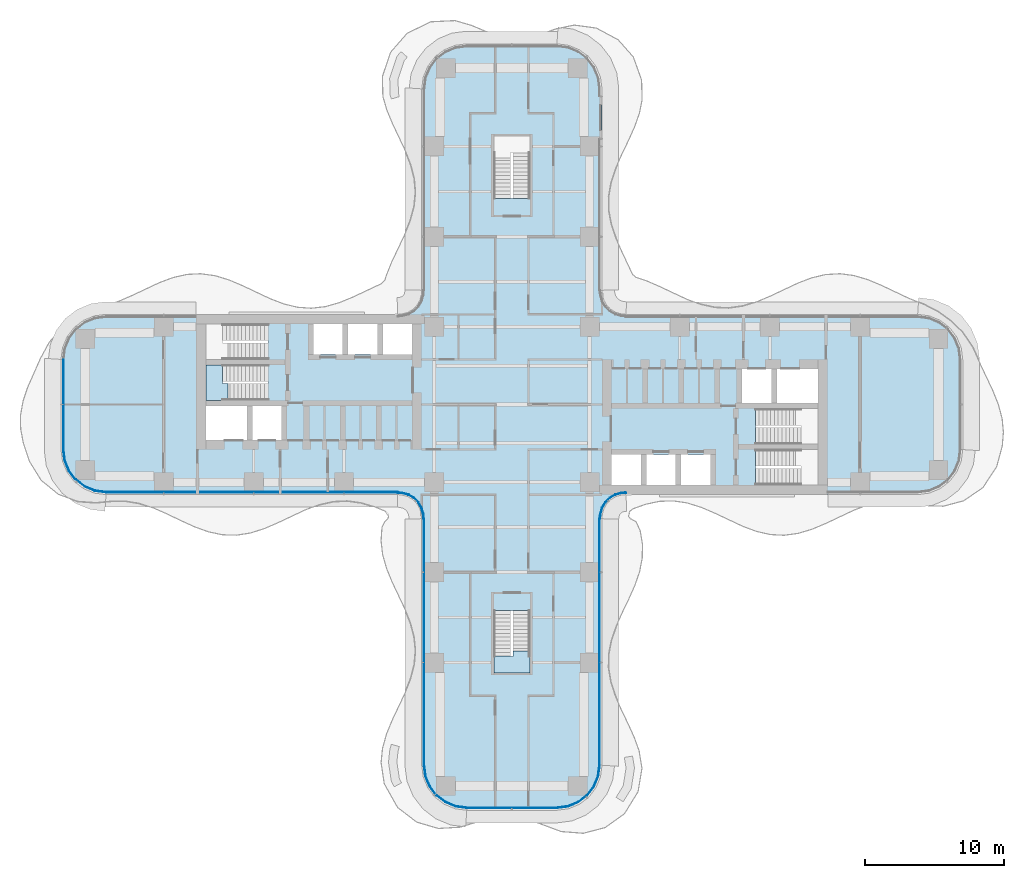
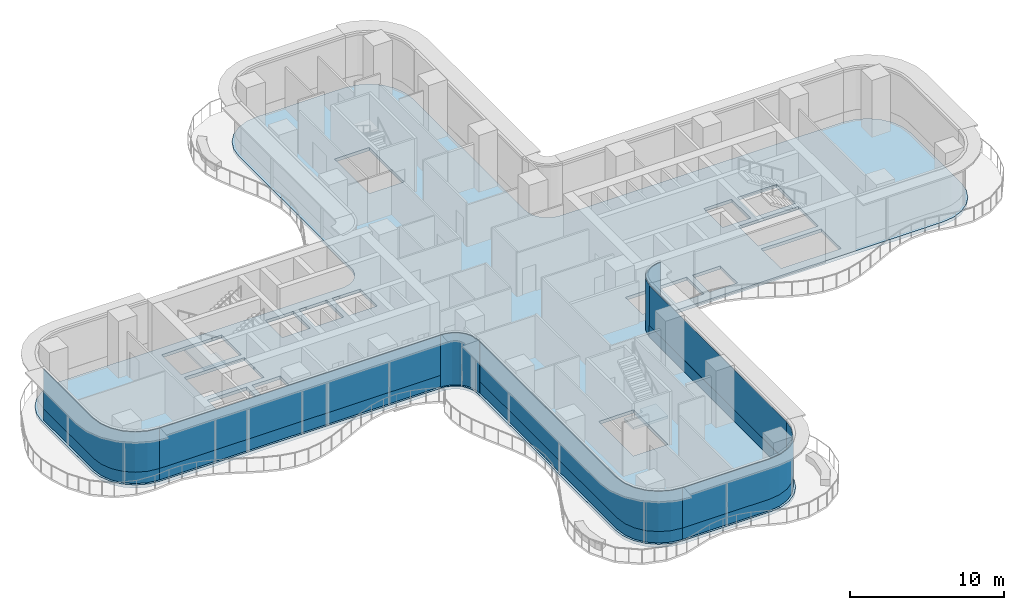
# One storey, part 14 of 23: 12 plates, 3 slabs, 9 elements without a shape of their own.
"""IFC4 building model written with IfcOpenShell, lengths in metres."""

import ifcopenshell
import ifcopenshell.guid

model = None  # the IFC model being written
_history = None  # IfcOwnerHistory: only IFC2X3 demands one
_inside = {}  # id of a spatial element -> (the spatial element, [elements in it])
_under = {}  # id of a project, library or spatial element -> (it, [spatial elements below it])
_declared = {}  # id of a project -> (the project, [libraries it declares])
_typed = {}  # id of a type object -> (the type object, [elements of that type])
_made_of = {}  # id of a material, layer set ... -> (it, [elements and type objects made of it])


def new_model(schema):
    """Start an empty IFC model of exactly this schema.

    Asked for "IFC4X3", IfcOpenShell would pick the latest addendum, in which some entities
    have other attributes; the version numbers below select the first issue.
    IFC2X3 requires an IfcOwnerHistory on every rooted entity: one is made here for all.
    """
    global model, _history
    if schema == "IFC4X3":
        model = ifcopenshell.file(schema_version=(4, 3, 0, 0))
    else:
        model = ifcopenshell.file(schema=schema)
    _inside.clear()
    _under.clear()
    _declared.clear()
    _typed.clear()
    _made_of.clear()
    _history = None
    if model.schema == "IFC2X3":
        org = make("IfcOrganization", Name="unknown")
        user = make(
            "IfcPersonAndOrganization",
            ThePerson=make("IfcPerson", FamilyName="unknown"),
            TheOrganization=org,
        )
        app = make(
            "IfcApplication",
            ApplicationDeveloper=org,
            Version="unknown",
            ApplicationFullName="unknown",
            ApplicationIdentifier="unknown",
        )
        _history = make(
            "IfcOwnerHistory",
            OwningUser=user,
            OwningApplication=app,
            ChangeAction="ADDED",
            CreationDate=0,
        )
    return model


def make(cls, **values):
    """One entity of the class cls with the attributes given. An attribute that is None is left unset."""
    return model.create_entity(
        cls, **{name: value for name, value in values.items() if value is not None}
    )


def rooted(cls, **values):
    """An entity with a GlobalId (a new one), such as an element, a storey or a relation."""
    return make(cls, GlobalId=ifcopenshell.guid.new(), OwnerHistory=_history, **values)


def si_unit(unit_type, name, prefix=None):
    """IfcSIUnit, for example si_unit("LENGTHUNIT", "METRE", prefix="MILLI")."""
    return make("IfcSIUnit", UnitType=unit_type, Prefix=prefix, Name=name)


def assignment(units):
    """IfcUnitAssignment: the units of a project."""
    return None if units is None else make("IfcUnitAssignment", Units=units)


def point(xyz):
    """IfcCartesianPoint."""
    return None if xyz is None else make("IfcCartesianPoint", Coordinates=xyz)


def direction(xyz):
    """IfcDirection."""
    return None if xyz is None else make("IfcDirection", DirectionRatios=xyz)


def frame(location, z_axis=None, x_axis=None):
    """IfcAxis2Placement3D, a coordinate frame: its origin and axes. An axis left out is left unset."""
    return make(
        "IfcAxis2Placement3D",
        Location=point(location),
        Axis=direction(z_axis),
        RefDirection=direction(x_axis),
    )


def origin():
    """The frame at (0, 0, 0) with its axes left unset."""
    return frame((0.0, 0.0, 0.0))


def place(relative_to, where):
    """IfcLocalPlacement: puts the frame where relative to a parent placement (None: the world)."""
    return make(
        "IfcLocalPlacement", PlacementRelTo=relative_to, RelativePlacement=where
    )


def context(
    kind, dimensions, precision=None, world=None, true_north=None, identifier=None
):
    """IfcGeometricRepresentationContext, for example the 3D "Model" context."""
    return make(
        "IfcGeometricRepresentationContext",
        ContextIdentifier=identifier,
        ContextType=kind,
        CoordinateSpaceDimension=dimensions,
        Precision=precision,
        WorldCoordinateSystem=world,
        TrueNorth=true_north,
    )


def subcontext(parent, identifier, kind, view, scale=None):
    """IfcGeometricRepresentationSubContext, for example "Body" below "Model"."""
    return make(
        "IfcGeometricRepresentationSubContext",
        ContextIdentifier=identifier,
        ContextType=kind,
        ParentContext=parent,
        TargetScale=scale,
        TargetView=view,
    )


def project(units=None, contexts=None):
    """IfcProject with its units and contexts."""
    return rooted(
        "IfcProject",
        Name="project",
        RepresentationContexts=contexts,
        UnitsInContext=assignment(units),
    )


def spatial(cls, under=None, at=None, **own):
    """A site, building, storey or space (cls), placed at a placement, below another one or the project."""
    s = rooted(cls, ObjectPlacement=at, **own)
    if under is not None:
        _under.setdefault(under.id(), (under, []))[1].append(s)
    return s


def polyline(points):
    """IfcPolyline through the points."""
    return make("IfcPolyline", Points=[point(p) for p in points])


def outline(outer, holes=None, kind="AREA"):
    """IfcArbitraryClosedProfileDef: a profile drawn as a closed curve; with holes, ...WithVoids."""
    if holes is None:
        return make("IfcArbitraryClosedProfileDef", ProfileType=kind, OuterCurve=outer)
    return make(
        "IfcArbitraryProfileDefWithVoids",
        ProfileType=kind,
        OuterCurve=outer,
        InnerCurves=holes,
    )


def extrude(swept, where, along, depth):
    """IfcExtrudedAreaSolid: the profile swept, set in the frame where, extruded along a direction by depth."""
    return make(
        "IfcExtrudedAreaSolid",
        SweptArea=swept,
        Position=where,
        ExtrudedDirection=direction(along),
        Depth=depth,
    )


def shape(context_of_items, identifier, shape_type, items):
    """IfcShapeRepresentation: the items that make up one representation, for example the "Body"."""
    return make(
        "IfcShapeRepresentation",
        ContextOfItems=context_of_items,
        RepresentationIdentifier=identifier,
        RepresentationType=shape_type,
        Items=items,
    )


def source(mapping_origin, context_of_items, identifier, shape_type, items):
    """IfcRepresentationMap: a shape defined once, which mapped items show again and again."""
    return make(
        "IfcRepresentationMap",
        MappingOrigin=mapping_origin,
        MappedRepresentation=shape(context_of_items, identifier, shape_type, items),
    )


def transform(
    local_origin,
    x_axis=None,
    y_axis=None,
    z_axis=None,
    scale=None,
    scale2=None,
    scale3=None,
    uniform=True,
):
    """IfcCartesianTransformationOperator3D, or its non-uniform kind. x_axis, y_axis, z_axis: its Axis1, 2, 3."""
    if uniform:
        return make(
            "IfcCartesianTransformationOperator3D",
            Axis1=direction(x_axis),
            Axis2=direction(y_axis),
            LocalOrigin=point(local_origin),
            Scale=scale,
            Axis3=direction(z_axis),
        )
    return make(
        "IfcCartesianTransformationOperator3DnonUniform",
        Axis1=direction(x_axis),
        Axis2=direction(y_axis),
        LocalOrigin=point(local_origin),
        Scale=scale,
        Axis3=direction(z_axis),
        Scale2=scale2,
        Scale3=scale3,
    )


def mapped(mapping_source, mapping_target):
    """IfcMappedItem: shows the shape of a source again, moved by a transform."""
    return make(
        "IfcMappedItem", MappingSource=mapping_source, MappingTarget=mapping_target
    )


def material(Name=None, Category=None):
    """IfcMaterial."""
    return make("IfcMaterial", Name=Name, Category=Category)


def layer(
    of_material, thickness, ventilated=None, Name=None, Category=None, Priority=None
):
    """IfcMaterialLayer: one layer of a wall or slab, of a material (None: an air gap)."""
    return make(
        "IfcMaterialLayer",
        Material=of_material,
        LayerThickness=thickness,
        IsVentilated=ventilated,
        Name=Name,
        Category=Category,
        Priority=Priority,
    )


def layer_set(layers, Name=None):
    """IfcMaterialLayerSet."""
    return make("IfcMaterialLayerSet", MaterialLayers=layers, LayerSetName=Name)


def made_of(thing, what):
    """Note that an element or type object is made of a material, layer set ...; save() writes the relation."""
    if what is not None:
        _made_of.setdefault(what.id(), (what, []))[1].append(thing)
    return thing


def type_object(cls, material=None, **own):
    """A type object (cls), such as IfcWallType, which elements share."""
    return made_of(rooted(cls, **own), material)


def element(
    cls,
    number,
    at=None,
    inside=None,
    cuts=None,
    type_object=None,
    material=None,
    context=None,
    identifier="Body",
    shape_type=None,
    held_by="IfcProductDefinitionShape",
    body=None,
    shapes=None,
    **own,
):
    """One element of the class cls, such as IfcWall. Its Tag is "e" and its number.

    at: its placement. inside: the storey or other place that contains it. cuts: it is an
    opening in that element (IfcRelVoidsElement). A single representation is given by context,
    identifier, shape_type and body (its items); several are given by shapes. held_by: the class
    of the entity that holds the representations. save() writes the other relations.
    """
    e = rooted(cls, Tag="e%d" % number, ObjectPlacement=at, **own)
    if body is not None:
        shapes = [shape(context, identifier, shape_type, body)]
    if shapes is not None:
        e.Representation = make(held_by, Representations=shapes)
    if inside is not None:
        _inside.setdefault(inside.id(), (inside, []))[1].append(e)
    if cuts is not None:
        rooted(
            "IfcRelVoidsElement", RelatingBuildingElement=cuts, RelatedOpeningElement=e
        )
    if type_object is not None:
        _typed.setdefault(type_object.id(), (type_object, []))[1].append(e)
    return made_of(e, material)


def aggregate(whole, parts):
    """IfcRelAggregates: a whole, such as a stair, and the parts it consists of."""
    return rooted("IfcRelAggregates", RelatingObject=whole, RelatedObjects=parts)


def save(model, path):
    """Write the relations noted so far, then the file.

    IfcRelAggregates (storeys below a building ...), IfcRelContainedInSpatialStructure (elements
    in a storey), IfcRelDefinesByType, IfcRelAssociatesMaterial and IfcRelDeclares: one each for
    every whole, place, type object, material and project.
    """
    for whole, parts in _under.values():
        aggregate(whole, parts)
    for where, things in _inside.values():
        rooted(
            "IfcRelContainedInSpatialStructure",
            RelatedElements=things,
            RelatingStructure=where,
        )
    for kind, things in _typed.values():
        rooted("IfcRelDefinesByType", RelatedObjects=things, RelatingType=kind)
    for what, things in _made_of.values():
        rooted("IfcRelAssociatesMaterial", RelatedObjects=things, RelatingMaterial=what)
    for by, libraries in _declared.values():
        rooted("IfcRelDeclares", RelatingContext=by, RelatedDefinitions=libraries)
    model.write(path)


model = new_model("IFC4")

# Units and contexts
model_context = context("Model", 3, precision=1e-05, world=origin(), true_north=direction((0.0, 1.0)))
body_context = subcontext(model_context, "Body", "Model", "MODEL_VIEW")
ifc_project = project(units=[si_unit("LENGTHUNIT", "METRE"), si_unit("AREAUNIT", "SQUARE_METRE"), si_unit("VOLUMEUNIT", "CUBIC_METRE"), si_unit("PLANEANGLEUNIT", "RADIAN"), si_unit("MASSUNIT", "GRAM", prefix="KILO")], contexts=[model_context])

# Site, building, storey
site_placement = place(None, origin())
site = spatial("IfcSite", under=ifc_project, at=site_placement, CompositionType="ELEMENT")
building_placement = place(site_placement, origin())
building = spatial("IfcBuilding", under=site, at=building_placement, Name="Trellis Farm Tower", CompositionType="ELEMENT")
storey_placement = place(building_placement, frame((0.0, 0.0, 83.5)))
storey = spatial("IfcBuildingStorey", under=building, at=storey_placement, Name="L17", CompositionType="ELEMENT", Elevation=83.5)

# Slab
ifc_material_1 = material(Name="Concrete C40/50", Category="concrete")
ifc_layer_1 = layer(ifc_material_1, 0.25)
ifc_layer_set_1 = layer_set([ifc_layer_1], Name="Composite deck floor slab 250")
slab_type_1 = type_object("IfcSlabType", Name="Composite deck floor slab 250", PredefinedType="FLOOR", material=ifc_layer_set_1)
shared_shape_1 = source(origin(), body_context, "Body", "SweptSolid", [
    extrude(outline(polyline([(-30.09130859375, -6.389404296875), (-30.875, -6.064697265625), (-31.548095703125, -5.548095703125), (-32.064697265625, -4.875), (-32.389404296875, -4.09130859375), (-32.5, -3.25), (-32.5, 3.25), (-32.389404296875, 4.09130859375), (-32.064697265625, 4.875), (-31.548095703125, 5.548095703125), (-30.875, 6.064697265625), (-30.09130859375, 6.389404296875), (-29.25, 6.5), (-8.2314453125, 6.5), (-8.01953125, 6.513916015625), (-7.91552734375, 6.527587890625), (-7.508544921875, 6.63671875), (-7.144287109375, 6.846923828125), (-6.846923828125, 7.144287109375), (-6.63671875, 7.508544921875), (-6.527587890625, 7.91552734375), (-6.513916015625, 8.01953125), (-6.5, 8.2314453125), (-6.5, 22.75), (-6.389404296875, 23.59130859375), (-6.064697265625, 24.375), (-5.548095703125, 25.048095703125), (-4.875, 25.564697265625), (-4.09130859375, 25.889404296875), (-3.25, 26.0), (3.25, 26.0), (4.09130859375, 25.889404296875), (4.875, 25.564697265625), (5.548095703125, 25.048095703125), (6.064697265625, 24.375), (6.389404296875, 23.59130859375), (6.5, 22.75), (6.5, 8.2314453125), (6.513916015625, 8.01953125), (6.527587890625, 7.91552734375), (6.63671875, 7.508544921875), (6.846923828125, 7.144287109375), (7.144287109375, 6.846923828125), (7.508544921875, 6.63671875), (7.91552734375, 6.527587890625), (8.01953125, 6.513916015625), (8.2314453125, 6.5), (29.25, 6.5), (30.09130859375, 6.389404296875), (30.875, 6.064697265625), (31.548095703125, 5.548095703125), (32.064697265625, 4.875), (32.389404296875, 4.09130859375), (32.5, 3.25), (32.5, -3.25), (32.389404296875, -4.09130859375), (32.064697265625, -4.875), (31.548095703125, -5.548095703125), (30.875, -6.064697265625), (30.09130859375, -6.389404296875), (29.25, -6.5), (8.2314453125, -6.5), (8.01953125, -6.513916015625), (7.91552734375, -6.527587890625), (7.508544921875, -6.63671875), (7.144287109375, -6.846923828125), (6.846923828125, -7.144287109375), (6.63671875, -7.508544921875), (6.527587890625, -7.91552734375), (6.513916015625, -8.01953125), (6.5, -8.2314453125), (6.5, -26.0), (6.389404296875, -26.84130859375), (6.064697265625, -27.625), (5.548095703125, -28.298095703125), (4.875, -28.814697265625), (4.09130859375, -29.139404296875), (3.25, -29.25), (-3.25, -29.25), (-4.09130859375, -29.139404296875), (-4.875, -28.814697265625), (-5.548095703125, -28.298095703125), (-6.064697265625, -27.625), (-6.389404296875, -26.84130859375), (-6.5, -26.0), (-6.5, -8.2314453125), (-6.513916015625, -8.01953125), (-6.527587890625, -7.91552734375), (-6.63671875, -7.508544921875), (-6.846923828125, -7.144287109375), (-7.144287109375, -6.846923828125), (-7.508544921875, -6.63671875), (-7.91552734375, -6.527587890625), (-8.01953125, -6.513916015625), (-8.2314453125, -6.5), (-29.25, -6.5), (-30.09130859375, -6.389404296875)]), holes=[polyline([(-22.050048828125, -0.10009765625), (-22.050048828125, -2.550048828125), (-19.10009765625, -2.550048828125), (-19.10009765625, -0.10009765625), (-22.050048828125, -0.10009765625)]), polyline([(-18.699951171875, -0.10009765625), (-18.699951171875, -2.550048828125), (-16.60009765625, -2.550048828125), (-16.60009765625, -0.10009765625), (-18.699951171875, -0.10009765625)]), polyline([(-17.56201171875, 1.64990234375), (-17.56201171875, 2.85009765625), (-22.050048828125, 2.85009765625), (-22.050048828125, 0.300048828125), (-17.56005859375, 0.300048828125), (-17.56005859375, 1.5), (-17.550048828125, 1.5), (-17.550048828125, 1.64990234375), (-17.56201171875, 1.64990234375)]), polyline([(-17.56201171875, 4.60009765625), (-17.56201171875, 5.800048828125), (-22.050048828125, 5.800048828125), (-22.050048828125, 3.25), (-17.56005859375, 3.25), (-17.56005859375, 4.449951171875), (-17.550048828125, 4.449951171875), (-17.550048828125, 4.60009765625), (-17.56201171875, 4.60009765625)]), polyline([(-14.300048828125, 5.800048828125), (-14.300048828125, 3.60009765625), (-12.199951171875, 3.60009765625), (-12.199951171875, 5.800048828125), (-14.300048828125, 5.800048828125)]), polyline([(-11.800048828125, 5.800048828125), (-11.800048828125, 3.60009765625), (-9.699951171875, 3.60009765625), (-9.699951171875, 5.800048828125), (-11.800048828125, 5.800048828125)]), polyline([(-9.300048828125, 5.800048828125), (-9.300048828125, 3.60009765625), (-7.199951171875, 3.60009765625), (-7.199951171875, 5.800048828125), (-9.300048828125, 5.800048828125)]), polyline([(0.10009765625, 14.862060546875), (1.300048828125, 14.862060546875), (1.300048828125, 19.35009765625), (-1.300048828125, 19.35009765625), (-1.300048828125, 14.860107421875), (-0.10009765625, 14.860107421875), (-0.10009765625, 14.85009765625), (0.10009765625, 14.85009765625), (0.10009765625, 14.862060546875)]), polyline([(-0.10009765625, -14.862060546875), (-1.300048828125, -14.862060546875), (-1.300048828125, -19.35009765625), (1.300048828125, -19.35009765625), (1.300048828125, -14.860107421875), (0.10009765625, -14.860107421875), (0.10009765625, -14.85009765625), (-0.10009765625, -14.85009765625), (-0.10009765625, -14.862060546875)]), polyline([(9.300048828125, -5.800048828125), (9.300048828125, -3.60009765625), (7.199951171875, -3.60009765625), (7.199951171875, -5.800048828125), (9.300048828125, -5.800048828125)]), polyline([(11.800048828125, -5.800048828125), (11.800048828125, -3.60009765625), (9.699951171875, -3.60009765625), (9.699951171875, -5.800048828125), (11.800048828125, -5.800048828125)]), polyline([(14.300048828125, -5.800048828125), (14.300048828125, -3.60009765625), (12.199951171875, -3.60009765625), (12.199951171875, -5.800048828125), (14.300048828125, -5.800048828125)]), polyline([(17.56201171875, -4.60009765625), (17.56201171875, -5.800048828125), (22.050048828125, -5.800048828125), (22.050048828125, -3.25), (17.56005859375, -3.25), (17.56005859375, -4.449951171875), (17.550048828125, -4.449951171875), (17.550048828125, -4.60009765625), (17.56201171875, -4.60009765625)]), polyline([(17.56201171875, -1.64990234375), (17.56201171875, -2.85009765625), (22.050048828125, -2.85009765625), (22.050048828125, -0.300048828125), (17.56005859375, -0.300048828125), (17.56005859375, -1.5), (17.550048828125, -1.5), (17.550048828125, -1.64990234375), (17.56201171875, -1.64990234375)]), polyline([(18.699951171875, 0.10009765625), (18.699951171875, 2.550048828125), (16.60009765625, 2.550048828125), (16.60009765625, 0.10009765625), (18.699951171875, 0.10009765625)]), polyline([(22.050048828125, 0.10009765625), (22.050048828125, 2.550048828125), (19.10009765625, 2.550048828125), (19.10009765625, 0.10009765625), (22.050048828125, 0.10009765625)])]), origin(), (0.0, 0.0, 1.0), 0.25),
])
slab_1_placement = place(storey_placement, frame((0.0, 0.0, -0.25)))
element("IfcSlab", 1, at=slab_1_placement, inside=storey, type_object=slab_type_1, Name="Floor slab", PredefinedType="FLOOR", context=body_context, shape_type="MappedRepresentation", body=[
    mapped(shared_shape_1, transform((0.0, 0.0, 0.0))),
])

# Stair, slab
ifc_material_2 = material(Name="Concrete C50/60", Category="concrete")
stair_type = type_object("IfcStairType", Name="CORE EXIT STAIR 26 RISERS 173 MM", PredefinedType="HALF_TURN_STAIR", material=ifc_material_2)
placement_1 = place(storey_placement, origin())
stair_1 = element("IfcStair", 2, at=placement_1, inside=storey, type_object=stair_type, Name="Exit stair S", PredefinedType="HALF_TURN_STAIR")
ifc_layer_2 = layer(ifc_material_2, 0.18994140625)
ifc_layer_set_2 = layer_set([ifc_layer_2], Name="CORE STAIR LANDING 190 CONCRETE C50/60")
slab_type_2 = type_object("IfcSlabType", Name="CORE STAIR LANDING 190 CONCRETE C50/60", PredefinedType="LANDING", material=ifc_layer_set_2)
shared_shape_2 = source(origin(), body_context, "Body", "SweptSolid", [
    extrude(outline(polyline([(1.300048828125, -19.35009765625), (-1.300048828125, -19.35009765625), (-1.300048828125, -18.14990234375), (-1.300048828125, -18.139892578125), (-0.10009765625, -18.139892578125), (-0.10009765625, -18.14990234375), (0.10009765625, -18.14990234375), (0.10009765625, -17.753173828125), (1.300048828125, -17.753173828125), (1.300048828125, -18.14990234375), (1.300048828125, -19.35009765625)])), origin(), (0.0, 0.0, 1.0), 0.18994140625),
])
placement_2 = place(storey_placement, frame((0.0, 0.0, 2.06005859375)))
slab_2 = element("IfcSlab", 3, at=placement_2, type_object=slab_type_2, Name="STS landing 1", PredefinedType="LANDING", context=body_context, shape_type="MappedRepresentation", body=[
    mapped(shared_shape_2, transform((0.0, 0.0, 0.0))),
])
aggregate(stair_1, [slab_2])

stair_2 = element("IfcStair", 4, at=placement_1, inside=storey, type_object=stair_type, Name="Exit stair W2", PredefinedType="HALF_TURN_STAIR")
shared_shape_3 = source(origin(), body_context, "Body", "SweptSolid", [
    extrude(outline(polyline([(-20.453125, 1.5), (-20.453125, 0.300048828125), (-20.85009765625, 0.300048828125), (-22.050048828125, 0.300048828125), (-22.050048828125, 2.85009765625), (-20.85009765625, 2.85009765625), (-20.840087890625, 2.85009765625), (-20.840087890625, 1.64990234375), (-20.85009765625, 1.64990234375), (-20.85009765625, 1.5), (-20.453125, 1.5)])), origin(), (0.0, 0.0, 1.0), 0.18994140625),
])
slab_3 = element("IfcSlab", 5, at=placement_2, type_object=slab_type_2, Name="STW2 landing 1", PredefinedType="LANDING", context=body_context, shape_type="MappedRepresentation", body=[
    mapped(shared_shape_3, transform((0.0, 0.0, 0.0))),
])
aggregate(stair_2, [slab_3])

# Curtain wall, plates
ifc_material_3 = material(Name="Aluminium and glass curtain wall", Category="aluminium")
ifc_layer_3 = layer(ifc_material_3, 0.18994140625)
ifc_layer_set_3 = layer_set([ifc_layer_3], Name="RIBBON CURTAIN WALL CW1")
curtain_wall_type_1 = type_object("IfcCurtainWallType", Name="RIBBON CURTAIN WALL CW1", PredefinedType="NOTDEFINED", material=ifc_layer_set_3)
curtain_wall_1 = element("IfcCurtainWall", 6, at=placement_1, inside=storey, type_object=curtain_wall_type_1, Name="CW1 001", PredefinedType="NOTDEFINED")
ifc_material_4 = material(Name="Clear insulated glass", Category="glass")
ifc_layer_4 = layer(ifc_material_4, 0.0400390625)
ifc_layer_set_4 = layer_set([ifc_layer_4], Name="CW1 GLASS PANEL 40")
plate_type_1 = type_object("IfcPlateType", Name="CW1 GLASS PANEL 40", PredefinedType="CURTAIN_PANEL", material=ifc_layer_set_4)
shared_shape_4 = source(origin(), body_context, "Body", "SweptSolid", [
    extrude(outline(polyline([(-29.240234375, -6.35009765625), (-8.2265625, -6.35009765625), (-8.22509765625, -6.31005859375), (-29.237548828125, -6.31005859375), (-29.240234375, -6.35009765625)])), origin(), (0.0, 0.0, 1.0), 3.170166015625),
])
placement_3 = place(storey_placement, frame((0.0, 0.0, 0.89990234375)))
plate_1 = element("IfcPlate", 7, at=placement_3, type_object=plate_type_1, Name="PL1 001", PredefinedType="CURTAIN_PANEL", context=body_context, shape_type="MappedRepresentation", body=[
    mapped(shared_shape_4, transform((0.0, 0.0, 0.0))),
])
ifc_material_5 = material(Name="Sandstone faced insulated panel", Category="masonry")
ifc_layer_5 = layer(ifc_material_5, 0.050048828125)
ifc_layer_set_5 = layer_set([ifc_layer_5], Name="CW1 STONE SPANDREL PANEL 50")
plate_type_2 = type_object("IfcPlateType", Name="CW1 STONE SPANDREL PANEL 50", PredefinedType="CURTAIN_PANEL", material=ifc_layer_set_5)
shared_shape_5 = source(origin(), body_context, "Body", "SweptSolid", [
    extrude(outline(polyline([(-29.240234375, -6.35009765625), (-8.2265625, -6.35009765625), (-8.224853515625, -6.300048828125), (-29.23681640625, -6.300048828125), (-29.240234375, -6.35009765625)])), origin(), (0.0, 0.0, 1.0), 0.89990234375),
])
plate_2 = element("IfcPlate", 8, at=placement_1, type_object=plate_type_2, Name="PS1 001", PredefinedType="CURTAIN_PANEL", context=body_context, shape_type="MappedRepresentation", body=[
    mapped(shared_shape_5, transform((0.0, 0.0, 0.0))),
])
aggregate(curtain_wall_1, [plate_1, plate_2])

# Curtain wall, plate
ifc_layer_6 = layer(ifc_material_3, 0.166015625)
ifc_layer_set_6 = layer_set([ifc_layer_6], Name="WINTER GARDEN CURTAIN WALL CW3")
curtain_wall_type_2 = type_object("IfcCurtainWallType", Name="WINTER GARDEN CURTAIN WALL CW3", PredefinedType="NOTDEFINED", material=ifc_layer_set_6)
curtain_wall_2 = element("IfcCurtainWall", 9, at=placement_1, inside=storey, type_object=curtain_wall_type_2, Name="CW3 001", PredefinedType="NOTDEFINED")
ifc_layer_7 = layer(ifc_material_4, 0.0458984375)
ifc_layer_set_7 = layer_set([ifc_layer_7], Name="CW3 GLASS PANEL 46")
plate_type_3 = type_object("IfcPlateType", Name="CW3 GLASS PANEL 46", PredefinedType="CURTAIN_PANEL", material=ifc_layer_set_7)
shared_shape_6 = source(origin(), body_context, "Body", "SweptSolid", [
    extrude(outline(polyline([(-8.2275390625, -6.3798828125), (-8.0078125, -6.394287109375), (-7.89208984375, -6.40966796875), (-7.462158203125, -6.52490234375), (-7.070556640625, -6.7509765625), (-6.7509765625, -7.070556640625), (-6.52490234375, -7.462158203125), (-6.40966796875, -7.89208984375), (-6.394287109375, -8.0078125), (-6.3798828125, -8.2275390625), (-6.333984375, -8.22607421875), (-6.3486328125, -8.003173828125), (-6.364501953125, -7.883056640625), (-6.48193359375, -7.4443359375), (-6.714111328125, -7.04248046875), (-7.04248046875, -6.714111328125), (-7.4443359375, -6.48193359375), (-7.883056640625, -6.364501953125), (-8.003173828125, -6.3486328125), (-8.22607421875, -6.333984375), (-8.2275390625, -6.3798828125)])), origin(), (0.0, 0.0, 1.0), 4.10009765625),
])
plate_3 = element("IfcPlate", 10, at=placement_1, type_object=plate_type_3, Name="PL3 001", PredefinedType="CURTAIN_PANEL", context=body_context, shape_type="MappedRepresentation", body=[
    mapped(shared_shape_6, transform((0.0, 0.0, 0.0))),
])
aggregate(curtain_wall_2, [plate_3])

# Curtain wall, plates
curtain_wall_3 = element("IfcCurtainWall", 11, at=placement_1, inside=storey, type_object=curtain_wall_type_1, Name="CW1 003", PredefinedType="NOTDEFINED")
shared_shape_7 = source(origin(), body_context, "Body", "SweptSolid", [
    extrude(outline(polyline([(-3.240234375, -29.10009765625), (3.240234375, -29.10009765625), (4.052001953125, -28.9931640625), (4.79931640625, -28.68359375), (5.441162109375, -28.191162109375), (5.93359375, -27.54931640625), (6.2431640625, -26.802001953125), (6.35009765625, -25.990234375), (6.31005859375, -25.987548828125), (6.2041015625, -26.79150390625), (5.898681640625, -27.529296875), (5.41259765625, -28.16259765625), (4.779296875, -28.648681640625), (4.04150390625, -28.9541015625), (3.237548828125, -29.06005859375), (-3.237548828125, -29.06005859375), (-3.240234375, -29.10009765625)])), origin(), (0.0, 0.0, 1.0), 3.170166015625),
])
plate_4 = element("IfcPlate", 12, at=placement_3, type_object=plate_type_1, Name="PL1 003", PredefinedType="CURTAIN_PANEL", context=body_context, shape_type="MappedRepresentation", body=[
    mapped(shared_shape_7, transform((0.0, 0.0, 0.0))),
])
shared_shape_8 = source(origin(), body_context, "Body", "SweptSolid", [
    extrude(outline(polyline([(-3.240234375, -29.10009765625), (3.240234375, -29.10009765625), (4.052001953125, -28.9931640625), (4.79931640625, -28.68359375), (5.441162109375, -28.191162109375), (5.93359375, -27.54931640625), (6.2431640625, -26.802001953125), (6.35009765625, -25.990234375), (6.300048828125, -25.98681640625), (6.1943359375, -26.7890625), (5.889892578125, -27.524169921875), (5.405517578125, -28.155517578125), (4.774169921875, -28.639892578125), (4.0390625, -28.9443359375), (3.23681640625, -29.050048828125), (-3.23681640625, -29.050048828125), (-3.240234375, -29.10009765625)])), origin(), (0.0, 0.0, 1.0), 0.89990234375),
])
plate_5 = element("IfcPlate", 13, at=placement_1, type_object=plate_type_2, Name="PS1 003", PredefinedType="CURTAIN_PANEL", context=body_context, shape_type="MappedRepresentation", body=[
    mapped(shared_shape_8, transform((0.0, 0.0, 0.0))),
])
aggregate(curtain_wall_3, [plate_4, plate_5])

curtain_wall_4 = element("IfcCurtainWall", 14, at=placement_1, inside=storey, type_object=curtain_wall_type_1, Name="CW1 004", PredefinedType="NOTDEFINED")
shared_shape_9 = source(origin(), body_context, "Body", "SweptSolid", [
    extrude(outline(polyline([(6.35009765625, -25.990234375), (6.35009765625, -8.2265625), (6.31005859375, -8.22509765625), (6.31005859375, -25.987548828125), (6.35009765625, -25.990234375)])), origin(), (0.0, 0.0, 1.0), 3.170166015625),
])
plate_6 = element("IfcPlate", 15, at=placement_3, type_object=plate_type_1, Name="PL1 004", PredefinedType="CURTAIN_PANEL", context=body_context, shape_type="MappedRepresentation", body=[
    mapped(shared_shape_9, transform((0.0, 0.0, 0.0))),
])
shared_shape_10 = source(origin(), body_context, "Body", "SweptSolid", [
    extrude(outline(polyline([(6.35009765625, -25.990234375), (6.35009765625, -8.2265625), (6.300048828125, -8.224853515625), (6.300048828125, -25.98681640625), (6.35009765625, -25.990234375)])), origin(), (0.0, 0.0, 1.0), 0.89990234375),
])
plate_7 = element("IfcPlate", 16, at=placement_1, type_object=plate_type_2, Name="PS1 004", PredefinedType="CURTAIN_PANEL", context=body_context, shape_type="MappedRepresentation", body=[
    mapped(shared_shape_10, transform((0.0, 0.0, 0.0))),
])
aggregate(curtain_wall_4, [plate_6, plate_7])

# Curtain wall, plate
curtain_wall_5 = element("IfcCurtainWall", 17, at=placement_1, inside=storey, type_object=curtain_wall_type_2, Name="CW3 002", PredefinedType="NOTDEFINED")
shared_shape_11 = source(origin(), body_context, "Body", "SweptSolid", [
    extrude(outline(polyline([(6.3798828125, -8.2275390625), (6.394287109375, -8.0078125), (6.40966796875, -7.89208984375), (6.52490234375, -7.462158203125), (6.7509765625, -7.070556640625), (7.070556640625, -6.7509765625), (7.462158203125, -6.52490234375), (7.89208984375, -6.40966796875), (8.0078125, -6.394287109375), (8.2275390625, -6.3798828125), (8.22607421875, -6.333984375), (8.003173828125, -6.3486328125), (7.883056640625, -6.364501953125), (7.4443359375, -6.48193359375), (7.04248046875, -6.714111328125), (6.714111328125, -7.04248046875), (6.48193359375, -7.4443359375), (6.364501953125, -7.883056640625), (6.3486328125, -8.003173828125), (6.333984375, -8.22607421875), (6.3798828125, -8.2275390625)])), origin(), (0.0, 0.0, 1.0), 4.10009765625),
])
plate_8 = element("IfcPlate", 18, at=placement_1, type_object=plate_type_3, Name="PL3 002", PredefinedType="CURTAIN_PANEL", context=body_context, shape_type="MappedRepresentation", body=[
    mapped(shared_shape_11, transform((0.0, 0.0, 0.0))),
])
aggregate(curtain_wall_5, [plate_8])

# Curtain wall, plates
curtain_wall_6 = element("IfcCurtainWall", 19, at=placement_1, inside=storey, type_object=curtain_wall_type_1, Name="CW1 002", PredefinedType="NOTDEFINED")
shared_shape_12 = source(origin(), body_context, "Body", "SweptSolid", [
    extrude(outline(polyline([(-6.35009765625, -8.2265625), (-6.35009765625, -25.990234375), (-6.2431640625, -26.802001953125), (-5.93359375, -27.54931640625), (-5.441162109375, -28.191162109375), (-4.79931640625, -28.68359375), (-4.052001953125, -28.9931640625), (-3.240234375, -29.10009765625), (-3.237548828125, -29.06005859375), (-4.04150390625, -28.9541015625), (-4.779296875, -28.648681640625), (-5.41259765625, -28.16259765625), (-5.898681640625, -27.529296875), (-6.2041015625, -26.79150390625), (-6.31005859375, -25.987548828125), (-6.31005859375, -8.22509765625), (-6.35009765625, -8.2265625)])), origin(), (0.0, 0.0, 1.0), 3.170166015625),
])
plate_9 = element("IfcPlate", 20, at=placement_3, type_object=plate_type_1, Name="PL1 002", PredefinedType="CURTAIN_PANEL", context=body_context, shape_type="MappedRepresentation", body=[
    mapped(shared_shape_12, transform((0.0, 0.0, 0.0))),
])
shared_shape_13 = source(origin(), body_context, "Body", "SweptSolid", [
    extrude(outline(polyline([(-6.35009765625, -8.2265625), (-6.35009765625, -25.990234375), (-6.2431640625, -26.802001953125), (-5.93359375, -27.54931640625), (-5.441162109375, -28.191162109375), (-4.79931640625, -28.68359375), (-4.052001953125, -28.9931640625), (-3.240234375, -29.10009765625), (-3.23681640625, -29.050048828125), (-4.0390625, -28.9443359375), (-4.774169921875, -28.639892578125), (-5.405517578125, -28.155517578125), (-5.889892578125, -27.524169921875), (-6.1943359375, -26.7890625), (-6.300048828125, -25.98681640625), (-6.300048828125, -8.224853515625), (-6.35009765625, -8.2265625)])), origin(), (0.0, 0.0, 1.0), 0.89990234375),
])
plate_10 = element("IfcPlate", 21, at=placement_1, type_object=plate_type_2, Name="PS1 002", PredefinedType="CURTAIN_PANEL", context=body_context, shape_type="MappedRepresentation", body=[
    mapped(shared_shape_13, transform((0.0, 0.0, 0.0))),
])
aggregate(curtain_wall_6, [plate_9, plate_10])

curtain_wall_7 = element("IfcCurtainWall", 22, at=placement_1, inside=storey, type_object=curtain_wall_type_1, Name="CW1 013", PredefinedType="NOTDEFINED")
shared_shape_14 = source(origin(), body_context, "Body", "SweptSolid", [
    extrude(outline(polyline([(-32.35009765625, 3.240234375), (-32.35009765625, -3.240234375), (-32.2431640625, -4.052001953125), (-31.93359375, -4.79931640625), (-31.441162109375, -5.441162109375), (-30.79931640625, -5.93359375), (-30.052001953125, -6.2431640625), (-29.240234375, -6.35009765625), (-29.237548828125, -6.31005859375), (-30.04150390625, -6.2041015625), (-30.779296875, -5.898681640625), (-31.41259765625, -5.41259765625), (-31.898681640625, -4.779296875), (-32.2041015625, -4.04150390625), (-32.31005859375, -3.237548828125), (-32.31005859375, 3.237548828125), (-32.35009765625, 3.240234375)])), origin(), (0.0, 0.0, 1.0), 3.170166015625),
])
plate_11 = element("IfcPlate", 23, at=placement_3, type_object=plate_type_1, Name="PL1 013", PredefinedType="CURTAIN_PANEL", context=body_context, shape_type="MappedRepresentation", body=[
    mapped(shared_shape_14, transform((0.0, 0.0, 0.0))),
])
shared_shape_15 = source(origin(), body_context, "Body", "SweptSolid", [
    extrude(outline(polyline([(-32.35009765625, 3.240234375), (-32.35009765625, -3.240234375), (-32.2431640625, -4.052001953125), (-31.93359375, -4.79931640625), (-31.441162109375, -5.441162109375), (-30.79931640625, -5.93359375), (-30.052001953125, -6.2431640625), (-29.240234375, -6.35009765625), (-29.23681640625, -6.300048828125), (-30.0390625, -6.1943359375), (-30.774169921875, -5.889892578125), (-31.405517578125, -5.405517578125), (-31.889892578125, -4.774169921875), (-32.1943359375, -4.0390625), (-32.300048828125, -3.23681640625), (-32.300048828125, 3.23681640625), (-32.35009765625, 3.240234375)])), origin(), (0.0, 0.0, 1.0), 0.89990234375),
])
plate_12 = element("IfcPlate", 24, at=placement_1, type_object=plate_type_2, Name="PS1 013", PredefinedType="CURTAIN_PANEL", context=body_context, shape_type="MappedRepresentation", body=[
    mapped(shared_shape_15, transform((0.0, 0.0, 0.0))),
])
aggregate(curtain_wall_7, [plate_11, plate_12])

save(model, "model.ifc")
